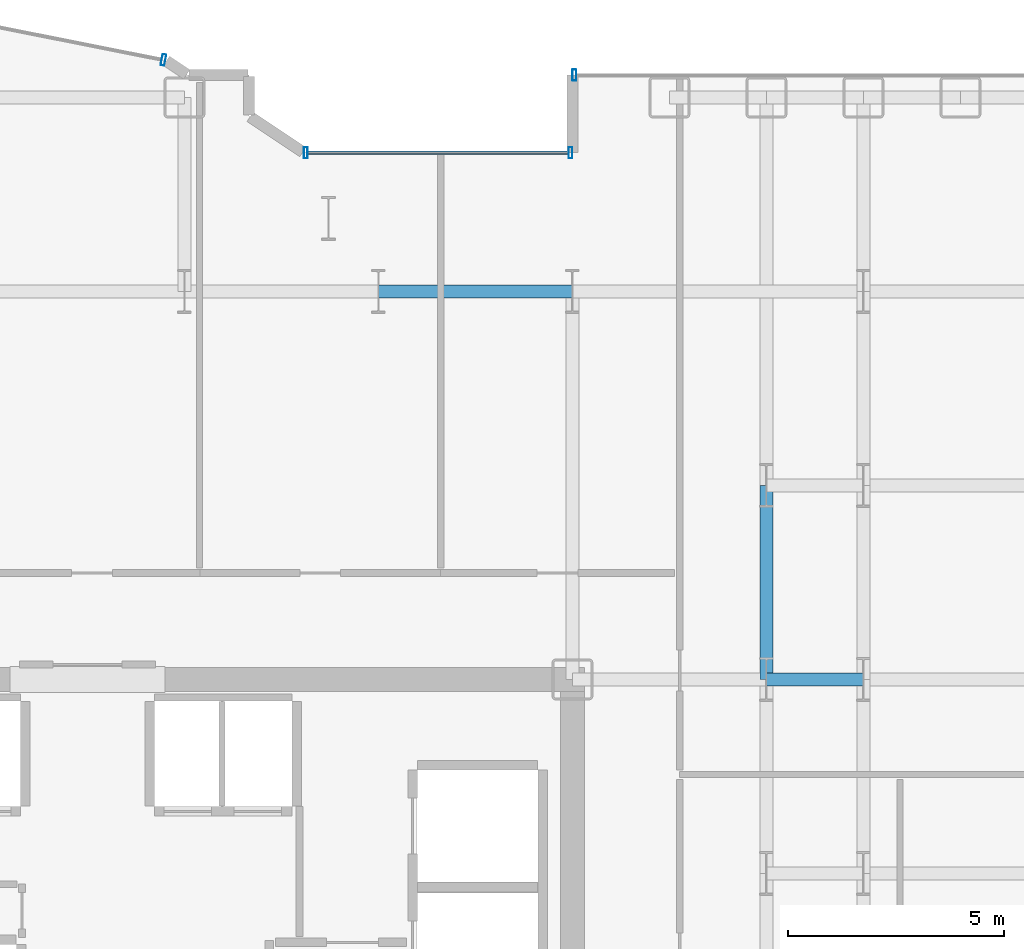
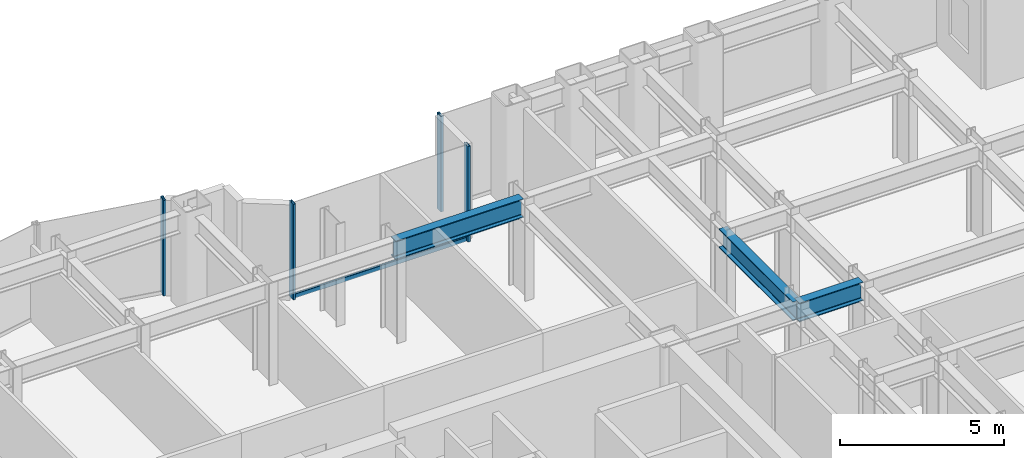
# One storey, part 12 of 25: 5 members, 3 beams, 3 elements without a shape of their own.
"""IFC4 building model written with IfcOpenShell, lengths in metres."""

from ifc_helpers import new_model, si_unit, direction, frame, origin, origin_2d, place, context, subcontext, project, spatial, hollow_rectangle, i_section, extrude, source, transform, mapped, material, layer, layer_set, material_profile, profile_set, type_object, element, aggregate, save


model = new_model("IFC4")

# Units and contexts
model_context = context("Model", 3, precision=1e-05, world=origin(), true_north=direction((0.0, 1.0)))
body_context = subcontext(model_context, "Body", "Model", "MODEL_VIEW")
ifc_project = project(units=[si_unit("LENGTHUNIT", "METRE"), si_unit("AREAUNIT", "SQUARE_METRE"), si_unit("VOLUMEUNIT", "CUBIC_METRE"), si_unit("PLANEANGLEUNIT", "RADIAN"), si_unit("MASSUNIT", "GRAM", prefix="KILO")], contexts=[model_context])

# Site, building, storey
site_placement = place(None, origin())
site = spatial("IfcSite", under=ifc_project, at=site_placement, CompositionType="ELEMENT")
building_placement = place(site_placement, origin())
building = spatial("IfcBuilding", under=site, at=building_placement, Name="Nefas-Gora Pilgrimage Tower", CompositionType="ELEMENT")
storey_placement = place(building_placement, frame((0.0, 0.0, 98.39990234375)))
storey = spatial("IfcBuildingStorey", under=building, at=storey_placement, Name="L23", CompositionType="ELEMENT", Elevation=98.39990234375)

# Beams
ifc_material_1 = material(Name="Steel S355", Category="steel")
ifc_material_profile_1 = material_profile(ifc_material_1, i_section(OverallWidth=0.300048828125, OverallDepth=0.699951171875, WebThickness=0.01708984375, FlangeThickness=0.031982421875, FilletRadius=0.027099609375, at=origin_2d()), Name="HEB 700")
ifc_profile_set_1 = profile_set([ifc_material_profile_1], Name="Steel S355")
beam_type = type_object("IfcBeamType", Name="BM-GIR-HEB700", PredefinedType="BEAM", material=ifc_profile_set_1)
shared_shape_1 = source(origin(), body_context, "Body", "SweptSolid", [
    extrude(i_section(OverallWidth=0.300048828125, OverallDepth=0.699951171875, WebThickness=0.01708984375, FlangeThickness=0.031982421875, FilletRadius=0.027099609375, at=origin_2d()), origin(), (0.0, 0.0, 1.0), 4.5),
])
for number, where, z_axis, x_axis, name in (
    (1, (6.75, 18.0, 3.2001953125), (1.0, 0.0, 0.0), (0.0, 1.0, 0.0), "L23 G-02 beam"),
    (2, (15.75, 9.0, 3.2001953125), (0.0, 1.0, 0.0), (-1.0, 0.0, 0.0), "L23 G-02 beam"),
):
    element("IfcBeam", number, at=place(storey_placement, frame(where, z_axis=z_axis, x_axis=x_axis)), inside=storey, type_object=beam_type, Name=name, PredefinedType="BEAM", context=body_context, shape_type="MappedRepresentation", body=[
        mapped(shared_shape_1, transform((0.0, 0.0, 0.0), x_axis=(1.0, 0.0, 0.0), y_axis=(0.0, 1.0, 0.0), z_axis=(0.0, 0.0, 1.0), scale=1.0)),
    ])
shared_shape_2 = source(origin(), body_context, "Body", "SweptSolid", [
    extrude(i_section(OverallWidth=0.300048828125, OverallDepth=0.699951171875, WebThickness=0.01708984375, FlangeThickness=0.031982421875, FilletRadius=0.027099609375, at=origin_2d()), origin(), (0.0, 0.0, 1.0), 2.25),
])
beam_placement = place(storey_placement, frame((15.75, 9.0, 3.2001953125), z_axis=(1.0, 0.0, 0.0), x_axis=(0.0, 1.0, 0.0)))
element("IfcBeam", 3, at=beam_placement, inside=storey, type_object=beam_type, Name="L23 G-02 beam", PredefinedType="BEAM", context=body_context, shape_type="MappedRepresentation", body=[
    mapped(shared_shape_2, transform((0.0, 0.0, 0.0), x_axis=(1.0, 0.0, 0.0), y_axis=(0.0, 1.0, 0.0), z_axis=(0.0, 0.0, 1.0), scale=1.0)),
])

# Curtain wall, members
ifc_material_2 = material(Name="Dark ceramic-fritted solar-control aluminium-glass curtain wall", Category="aluminium")
ifc_layer_1 = layer(ifc_material_2, 0.219970703125)
ifc_layer_set_1 = layer_set([ifc_layer_1], Name="Dark ceramic-fritted solar-control aluminium-glass curtain wall")
curtain_wall_type_1 = type_object("IfcCurtainWallType", Name="CW-SYS-5", PredefinedType="NOTDEFINED", material=ifc_layer_set_1)
curtain_wall_1_placement = place(storey_placement, origin())
curtain_wall_1 = element("IfcCurtainWall", 4, at=curtain_wall_1_placement, inside=storey, type_object=curtain_wall_type_1, Name="L23 Unitised Curtain Wall CW5", PredefinedType="NOTDEFINED")
ifc_material_3 = material(Name="Anodised architectural aluminium", Category="aluminium")
ifc_material_profile_2 = material_profile(ifc_material_3, hollow_rectangle(XDim=0.090087890625, YDim=0.260009765625, WallThickness=0.006103515625, InnerFilletRadius=0.006103515625, OuterFilletRadius=0.011962890625, at=origin_2d()), Name="ALU MULLION 90x260")
ifc_profile_set_2 = profile_set([ifc_material_profile_2], Name="Anodised architectural aluminium")
member_type_1 = type_object("IfcMemberType", Name="CWM-MUL-5", PredefinedType="MULLION", material=ifc_profile_set_2)
shared_shape_3 = source(origin(), body_context, "Body", "SweptSolid", [
    extrude(hollow_rectangle(XDim=0.090087890625, YDim=0.260009765625, WallThickness=0.006103515625, InnerFilletRadius=0.006103515625, OuterFilletRadius=0.011962890625, at=origin_2d()), origin(), (0.0, 0.0, 1.0), 3.550048828125),
])
member_1_placement = place(storey_placement, frame((11.205078125, 21.219970703125, 0.0), z_axis=(0.0, 0.0, 1.0), x_axis=(-1.0, 0.0, 0.0)))
member_1 = element("IfcMember", 5, at=member_1_placement, type_object=member_type_1, Name="CW5 Mullion 1", PredefinedType="MULLION", context=body_context, shape_type="MappedRepresentation", body=[
    mapped(shared_shape_3, transform((0.0, 0.0, 0.0), x_axis=(1.0, 0.0, 0.0), y_axis=(0.0, 1.0, 0.0), z_axis=(0.0, 0.0, 1.0), scale=1.0)),
])
member_2_placement = place(storey_placement, frame((5.06298828125, 21.219970703125, 0.0), z_axis=(0.0, 0.0, 1.0), x_axis=(-1.0, 0.0, 0.0)))
member_2 = element("IfcMember", 6, at=member_2_placement, type_object=member_type_1, Name="CW5 Mullion 2", PredefinedType="MULLION", context=body_context, shape_type="MappedRepresentation", body=[
    mapped(shared_shape_3, transform((0.0, 0.0, 0.0), x_axis=(1.0, 0.0, 0.0), y_axis=(0.0, 1.0, 0.0), z_axis=(0.0, 0.0, 1.0), scale=1.0)),
])

# Curtain wall, member
curtain_wall_2_placement = place(storey_placement, origin())
curtain_wall_2 = element("IfcCurtainWall", 7, at=curtain_wall_2_placement, inside=storey, type_object=curtain_wall_type_1, Name="L23 Unitised Curtain Wall CW5", PredefinedType="NOTDEFINED")
member_3_placement = place(storey_placement, frame((1.76318359375, 23.3740234375, 0.0), z_axis=(0.0, 0.0, 1.0), x_axis=(-0.980782896852, 0.195102304554, 0.0)))
member_3 = element("IfcMember", 8, at=member_3_placement, type_object=member_type_1, Name="CW5 Mullion 1", PredefinedType="MULLION", context=body_context, shape_type="MappedRepresentation", body=[
    mapped(shared_shape_3, transform((0.0, 0.0, 0.0), x_axis=(1.0, 0.0, 0.0), y_axis=(0.0, 1.0, 0.0), z_axis=(0.0, 0.0, 1.0), scale=1.0)),
])
aggregate(curtain_wall_2, [member_3])

# Member
ifc_material_profile_3 = material_profile(ifc_material_3, hollow_rectangle(XDim=0.080078125, YDim=0.159912109375, WallThickness=0.00439453125, InnerFilletRadius=0.00439453125, OuterFilletRadius=0.009033203125, at=origin_2d()), Name="ALU TRANSOM 80x160")
ifc_profile_set_3 = profile_set([ifc_material_profile_3], Name="Anodised architectural aluminium")
member_type_2 = type_object("IfcMemberType", Name="CWM-TRN-5", PredefinedType="USERDEFINED", material=ifc_profile_set_3)
shared_shape_4 = source(origin(), body_context, "Body", "SweptSolid", [
    extrude(hollow_rectangle(XDim=0.080078125, YDim=0.159912109375, WallThickness=0.00439453125, InnerFilletRadius=0.00439453125, OuterFilletRadius=0.009033203125, at=origin_2d()), origin(), (0.0, 0.0, 1.0), 6.052001953125),
])
member_4_placement = place(storey_placement, frame((11.159912109375, 21.219970703125, 0.050048828125), z_axis=(-1.0, 0.0, 0.0), x_axis=(0.0, -1.0, 0.0)))
member_4 = element("IfcMember", 9, at=member_4_placement, type_object=member_type_2, Name="CW5 Spandrel Transom", ObjectType="TRANSOM", PredefinedType="USERDEFINED", context=body_context, shape_type="MappedRepresentation", body=[
    mapped(shared_shape_4, transform((0.0, 0.0, 0.0), x_axis=(1.0, 0.0, 0.0), y_axis=(0.0, 1.0, 0.0), z_axis=(0.0, 0.0, 1.0), scale=1.0)),
])

aggregate(curtain_wall_1, [member_1, member_2, member_4])

# Curtain wall, member
ifc_layer_2 = layer(ifc_material_2, 0.219970703125)
ifc_layer_set_2 = layer_set([ifc_layer_2], Name="Dark ceramic-fritted solar-control aluminium-glass curtain wall")
curtain_wall_type_2 = type_object("IfcCurtainWallType", Name="CW-SYS-2", PredefinedType="NOTDEFINED", material=ifc_layer_set_2)
curtain_wall_3_placement = place(storey_placement, origin())
curtain_wall_3 = element("IfcCurtainWall", 10, at=curtain_wall_3_placement, inside=storey, type_object=curtain_wall_type_2, Name="L23 Unitised Curtain Wall CW2", PredefinedType="NOTDEFINED")
ifc_material_profile_4 = material_profile(ifc_material_3, hollow_rectangle(XDim=0.090087890625, YDim=0.260009765625, WallThickness=0.006103515625, InnerFilletRadius=0.006103515625, OuterFilletRadius=0.011962890625, at=origin_2d()), Name="ALU MULLION 90x260")
ifc_profile_set_4 = profile_set([ifc_material_profile_4], Name="Anodised architectural aluminium")
member_type_3 = type_object("IfcMemberType", Name="CWM-MUL-2", PredefinedType="MULLION", material=ifc_profile_set_4)
shared_shape_5 = source(origin(), body_context, "Body", "SweptSolid", [
    extrude(hollow_rectangle(XDim=0.090087890625, YDim=0.260009765625, WallThickness=0.006103515625, InnerFilletRadius=0.006103515625, OuterFilletRadius=0.011962890625, at=origin_2d()), origin(), (0.0, 0.0, 1.0), 3.550048828125),
])
member_5_placement = place(storey_placement, frame((11.294921875, 23.02001953125, 0.0), z_axis=(0.0, 0.0, 1.0), x_axis=(-1.0, 0.0, 0.0)))
member_5 = element("IfcMember", 11, at=member_5_placement, type_object=member_type_3, Name="CW2 Mullion 2", PredefinedType="MULLION", context=body_context, shape_type="MappedRepresentation", body=[
    mapped(shared_shape_5, transform((0.0, 0.0, 0.0), x_axis=(1.0, 0.0, 0.0), y_axis=(0.0, 1.0, 0.0), z_axis=(0.0, 0.0, 1.0), scale=1.0)),
])
aggregate(curtain_wall_3, [member_5])

save(model, "model.ifc")
